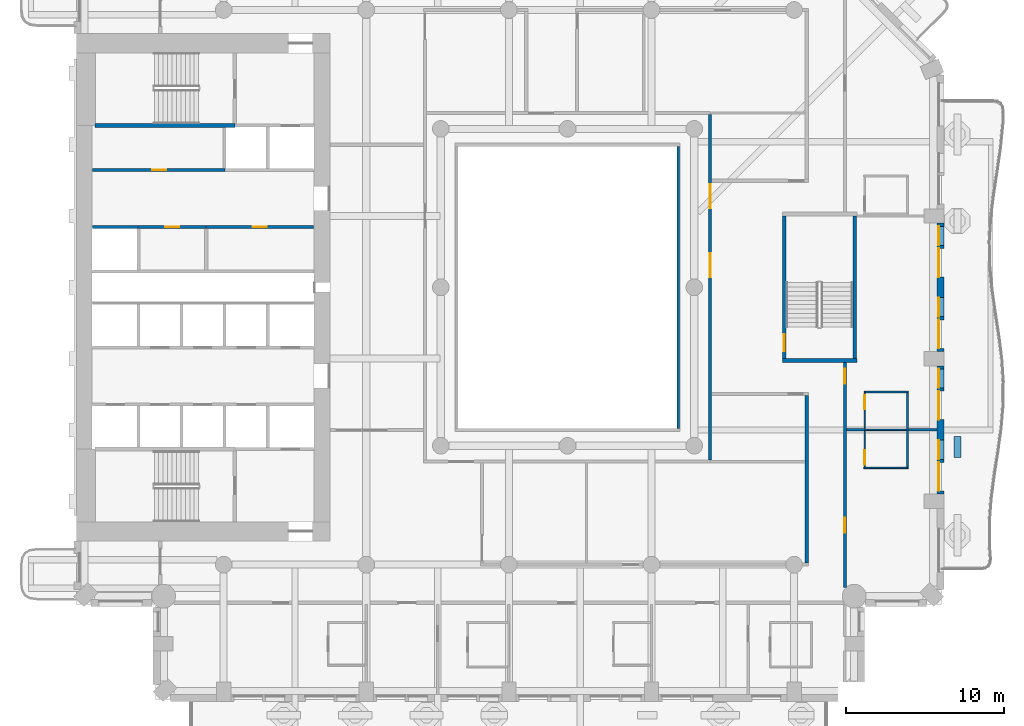
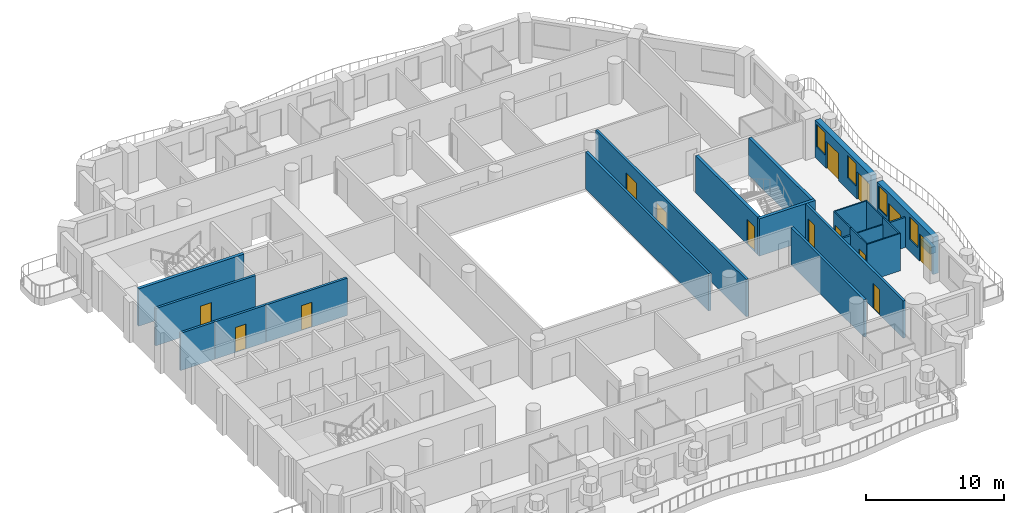
# One storey, part 6 of 19: 24 walls, 14 doors, 4 windows, 18 openings.
"""IFC4 building model written with IfcOpenShell, lengths in metres."""

from ifc_helpers import new_model, si_unit, direction, frame, frame_2d, origin, place, context, subcontext, project, spatial, rectangle, extrude, material, layer, layer_set, type_object, element, fill, save


model = new_model("IFC4")

# Units and contexts
model_context = context("Model", 3, precision=1e-05, world=origin(), true_north=direction((0.0, 1.0)))
body_context = subcontext(model_context, "Body", "Model", "MODEL_VIEW")
ifc_project = project(units=[si_unit("LENGTHUNIT", "METRE"), si_unit("AREAUNIT", "SQUARE_METRE"), si_unit("VOLUMEUNIT", "CUBIC_METRE"), si_unit("PLANEANGLEUNIT", "RADIAN"), si_unit("MASSUNIT", "GRAM", prefix="KILO")], contexts=[model_context])

# Site, building, storey
site_placement = place(None, origin())
site = spatial("IfcSite", under=ifc_project, at=site_placement, CompositionType="ELEMENT")
building_placement = place(site_placement, origin())
building = spatial("IfcBuilding", under=site, at=building_placement, Name="Cypress Arch Tower", CompositionType="ELEMENT")
storey_placement = place(building_placement, frame((0.0, 0.0, 105.89990234375)))
storey = spatial("IfcBuildingStorey", under=building, at=storey_placement, Name="L21", CompositionType="ELEMENT", Elevation=105.89990234375)

# Wall
ifc_material_1 = material(Name="Concrete C40/50, waterproofed", Category="concrete")
ifc_layer_1 = layer(ifc_material_1, 0.449951171875)
ifc_layer_set_1 = layer_set([ifc_layer_1], Name="Balcony planter wall PW450")
wall_type_1 = type_object("IfcWallType", Name="Balcony planter wall PW450", PredefinedType="SOLIDWALL", material=ifc_layer_set_1)
wall_1_placement = place(storey_placement, frame((25.60009765625, -10.75, 0.0), z_axis=(0.0, 0.0, 1.0), x_axis=(0.0, 1.0, 0.0)))
element("IfcWall", 1, at=wall_1_placement, inside=storey, type_object=wall_type_1, Name="Balcony planter wall L21-A06.2", PredefinedType="SOLIDWALL", context=body_context, shape_type="SweptSolid", body=[
    extrude(rectangle(XDim=1.32861328125, YDim=0.449951171875, at=frame_2d((0.664306640625, 0.0))), origin(), (0.0, 0.0, 1.0), 0.60009765625),
])

# Wall, openings, doors, windows
ifc_material_2 = material(Name="Brick (red buff blend)", Category="masonry")
ifc_layer_2 = layer(ifc_material_2, 0.449951171875)
ifc_layer_set_2 = layer_set([ifc_layer_2], Name="Brick pier and spandrel wall BW450")
wall_type_2 = type_object("IfcWallType", Name="Brick pier and spandrel wall BW450", PredefinedType="SOLIDWALL", material=ifc_layer_set_2)
wall_2_placement = place(storey_placement, frame((24.52490234375, -13.050048828125, 0.0), z_axis=(0.0, 0.0, 1.0), x_axis=(0.0, 1.0, 0.0)))
wall_2 = element("IfcWall", 2, at=wall_2_placement, inside=storey, type_object=wall_type_2, Name="Brick wall L21 A06.1", PredefinedType="SOLIDWALL", context=body_context, shape_type="SweptSolid", body=[
    extrude(rectangle(XDim=8.10009765625, YDim=0.449951171875, at=frame_2d((4.050048828125, 0.0))), origin(), (0.0, 0.0, 1.0), 3.300048828125),
])
opening_1_placement = place(wall_2_placement, frame((0.199951171875, 0.0, 0.0)))
opening_1 = element("IfcOpeningElement", 3, at=opening_1_placement, cuts=wall_2, Name="Opening D-L21-A06.1.1", PredefinedType="OPENING", context=body_context, shape_type="SweptSolid", body=[
    extrude(rectangle(XDim=1.800048828125, YDim=2.39990234375, at=frame_2d((0.89990234375, 1.199951171875))), frame((0.0, 0.23486328125, 0.0), z_axis=(0.0, -1.0, 0.0), x_axis=(1.0, 0.0, 0.0)), (0.0, 0.0, 1.0), 0.469970703125),
])
opening_2_placement = place(wall_2_placement, frame((2.199951171875, 0.0, 1.050048828125)))
opening_2 = element("IfcOpeningElement", 4, at=opening_2_placement, cuts=wall_2, Name="Opening W120HD", PredefinedType="OPENING", context=body_context, shape_type="SweptSolid", body=[
    extrude(rectangle(XDim=1.199951171875, YDim=2.0, at=frame_2d((0.60009765625, 1.0))), frame((0.0, 0.23486328125, 0.0), z_axis=(0.0, -1.0, 0.0), x_axis=(1.0, 0.0, 0.0)), (0.0, 0.0, 1.0), 0.469970703125),
])
opening_3_placement = place(wall_2_placement, frame((4.699951171875, 0.0, 0.0)))
opening_3 = element("IfcOpeningElement", 5, at=opening_3_placement, cuts=wall_2, Name="Opening D-L21-A06.1.2", PredefinedType="OPENING", context=body_context, shape_type="SweptSolid", body=[
    extrude(rectangle(XDim=1.800048828125, YDim=2.39990234375, at=frame_2d((0.89990234375, 1.199951171875))), frame((0.0, 0.23486328125, 0.0), z_axis=(0.0, -1.0, 0.0), x_axis=(1.0, 0.0, 0.0)), (0.0, 0.0, 1.0), 0.469970703125),
])
opening_4_placement = place(wall_2_placement, frame((6.699951171875, 0.0, 1.050048828125)))
opening_4 = element("IfcOpeningElement", 6, at=opening_4_placement, cuts=wall_2, Name="Opening W120HD", PredefinedType="OPENING", context=body_context, shape_type="SweptSolid", body=[
    extrude(rectangle(XDim=1.199951171875, YDim=2.0, at=frame_2d((0.60009765625, 1.0))), frame((0.0, 0.23486328125, 0.0), z_axis=(0.0, -1.0, 0.0), x_axis=(1.0, 0.0, 0.0)), (0.0, 0.0, 1.0), 0.469970703125),
])
ifc_material_3 = material(Name="Anodised aluminium, bronze finish, laminated low-emissivity double glazing, large-missile impact rated", Category="aluminium")
door_type_1 = type_object("IfcDoorType", Name="Balcony sliding door 1800x2400", OperationType="SLIDING_TO_LEFT", PredefinedType="DOOR", material=ifc_material_3)
door_1_placement = place(opening_1_placement, origin())
door_1 = element("IfcDoor", 7, at=door_1_placement, inside=storey, type_object=door_type_1, Name="Balcony door L21 A06.1.1", OperationType="SLIDING_TO_LEFT", OverallHeight=2.39990234375, OverallWidth=1.800048828125, PredefinedType="DOOR", context=body_context, shape_type="SweptSolid", body=[
    extrude(rectangle(XDim=1.800048828125, YDim=2.39990234375, at=frame_2d((0.89990234375, 1.199951171875))), frame((0.0, 0.1298828125, 0.0), z_axis=(0.0, -1.0, 0.0), x_axis=(1.0, 0.0, 0.0)), (0.0, 0.0, 1.0), 0.050048828125),
])
fill(opening_1, door_1)
door_2_placement = place(opening_3_placement, origin())
door_2 = element("IfcDoor", 8, at=door_2_placement, inside=storey, type_object=door_type_1, Name="Balcony door L21 A06.1.2", OperationType="SLIDING_TO_LEFT", OverallHeight=2.39990234375, OverallWidth=1.800048828125, PredefinedType="DOOR", context=body_context, shape_type="SweptSolid", body=[
    extrude(rectangle(XDim=1.800048828125, YDim=2.39990234375, at=frame_2d((0.89990234375, 1.199951171875))), frame((0.0, 0.1298828125, 0.0), z_axis=(0.0, -1.0, 0.0), x_axis=(1.0, 0.0, 0.0)), (0.0, 0.0, 1.0), 0.050048828125),
])
fill(opening_3, door_2)
ifc_material_4 = material(Name="Anodised aluminium, bronze finish, laminated low-emissivity double glazing, large-missile impact rated", Category="aluminium")
window_type = type_object("IfcWindowType", Name="Window Hotel 1200x2000 debris-rated", PartitioningType="SINGLE_PANEL", PredefinedType="WINDOW", material=ifc_material_4)
window_1_placement = place(opening_2_placement, origin())
window_1 = element("IfcWindow", 9, at=window_1_placement, inside=storey, type_object=window_type, Name="Window L21 A06.1.1", OverallHeight=2.0, OverallWidth=1.199951171875, PartitioningType="SINGLE_PANEL", PredefinedType="WINDOW", context=body_context, shape_type="SweptSolid", body=[
    extrude(rectangle(XDim=1.199951171875, YDim=2.0, at=frame_2d((0.60009765625, 1.0))), frame((0.0, 0.135009765625, 0.0), z_axis=(0.0, -1.0, 0.0), x_axis=(1.0, 0.0, 0.0)), (0.0, 0.0, 1.0), 0.06005859375),
])
fill(opening_2, window_1)
window_2_placement = place(opening_4_placement, origin())
window_2 = element("IfcWindow", 10, at=window_2_placement, inside=storey, type_object=window_type, Name="Window L21 A06.1.2", OverallHeight=2.0, OverallWidth=1.199951171875, PartitioningType="SINGLE_PANEL", PredefinedType="WINDOW", context=body_context, shape_type="SweptSolid", body=[
    extrude(rectangle(XDim=1.199951171875, YDim=2.0, at=frame_2d((0.60009765625, 1.0))), frame((0.0, 0.135009765625, 0.0), z_axis=(0.0, -1.0, 0.0), x_axis=(1.0, 0.0, 0.0)), (0.0, 0.0, 1.0), 0.06005859375),
])
fill(opening_4, window_2)

wall_3_placement = place(storey_placement, frame((24.52490234375, -4.050048828125, 0.0), z_axis=(0.0, 0.0, 1.0), x_axis=(0.0, 1.0, 0.0)))
wall_3 = element("IfcWall", 11, at=wall_3_placement, inside=storey, type_object=wall_type_2, Name="Brick wall L21 A06.2", PredefinedType="SOLIDWALL", context=body_context, shape_type="SweptSolid", body=[
    extrude(rectangle(XDim=8.10009765625, YDim=0.449951171875, at=frame_2d((4.050048828125, 0.0))), origin(), (0.0, 0.0, 1.0), 3.300048828125),
])
opening_5_placement = place(wall_3_placement, frame((0.199951171875, 0.0, 0.0)))
opening_5 = element("IfcOpeningElement", 12, at=opening_5_placement, cuts=wall_3, Name="Opening D-L21-A06.2.1", PredefinedType="OPENING", context=body_context, shape_type="SweptSolid", body=[
    extrude(rectangle(XDim=1.800048828125, YDim=2.39990234375, at=frame_2d((0.89990234375, 1.199951171875))), frame((0.0, 0.23486328125, 0.0), z_axis=(0.0, -1.0, 0.0), x_axis=(1.0, 0.0, 0.0)), (0.0, 0.0, 1.0), 0.469970703125),
])
opening_6_placement = place(wall_3_placement, frame((2.199951171875, 0.0, 1.050048828125)))
opening_6 = element("IfcOpeningElement", 13, at=opening_6_placement, cuts=wall_3, Name="Opening W120HD", PredefinedType="OPENING", context=body_context, shape_type="SweptSolid", body=[
    extrude(rectangle(XDim=1.199951171875, YDim=2.0, at=frame_2d((0.60009765625, 1.0))), frame((0.0, 0.23486328125, 0.0), z_axis=(0.0, -1.0, 0.0), x_axis=(1.0, 0.0, 0.0)), (0.0, 0.0, 1.0), 0.469970703125),
])
opening_7_placement = place(wall_3_placement, frame((4.699951171875, 0.0, 0.0)))
opening_7 = element("IfcOpeningElement", 14, at=opening_7_placement, cuts=wall_3, Name="Opening D-L21-A06.2.2", PredefinedType="OPENING", context=body_context, shape_type="SweptSolid", body=[
    extrude(rectangle(XDim=1.800048828125, YDim=2.39990234375, at=frame_2d((0.89990234375, 1.199951171875))), frame((0.0, 0.23486328125, 0.0), z_axis=(0.0, -1.0, 0.0), x_axis=(1.0, 0.0, 0.0)), (0.0, 0.0, 1.0), 0.469970703125),
])
opening_8_placement = place(wall_3_placement, frame((6.699951171875, 0.0, 1.050048828125)))
opening_8 = element("IfcOpeningElement", 15, at=opening_8_placement, cuts=wall_3, Name="Opening W120HD", PredefinedType="OPENING", context=body_context, shape_type="SweptSolid", body=[
    extrude(rectangle(XDim=1.199951171875, YDim=2.0, at=frame_2d((0.60009765625, 1.0))), frame((0.0, 0.23486328125, 0.0), z_axis=(0.0, -1.0, 0.0), x_axis=(1.0, 0.0, 0.0)), (0.0, 0.0, 1.0), 0.469970703125),
])
door_3_placement = place(opening_5_placement, origin())
door_3 = element("IfcDoor", 16, at=door_3_placement, inside=storey, type_object=door_type_1, Name="Balcony door L21 A06.2.1", OperationType="SLIDING_TO_LEFT", OverallHeight=2.39990234375, OverallWidth=1.800048828125, PredefinedType="DOOR", context=body_context, shape_type="SweptSolid", body=[
    extrude(rectangle(XDim=1.800048828125, YDim=2.39990234375, at=frame_2d((0.89990234375, 1.199951171875))), frame((0.0, 0.1298828125, 0.0), z_axis=(0.0, -1.0, 0.0), x_axis=(1.0, 0.0, 0.0)), (0.0, 0.0, 1.0), 0.050048828125),
])
fill(opening_5, door_3)
door_4_placement = place(opening_7_placement, origin())
door_4 = element("IfcDoor", 17, at=door_4_placement, inside=storey, type_object=door_type_1, Name="Balcony door L21 A06.2.2", OperationType="SLIDING_TO_LEFT", OverallHeight=2.39990234375, OverallWidth=1.800048828125, PredefinedType="DOOR", context=body_context, shape_type="SweptSolid", body=[
    extrude(rectangle(XDim=1.800048828125, YDim=2.39990234375, at=frame_2d((0.89990234375, 1.199951171875))), frame((0.0, 0.1298828125, 0.0), z_axis=(0.0, -1.0, 0.0), x_axis=(1.0, 0.0, 0.0)), (0.0, 0.0, 1.0), 0.050048828125),
])
fill(opening_7, door_4)
window_3_placement = place(opening_6_placement, origin())
window_3 = element("IfcWindow", 18, at=window_3_placement, inside=storey, type_object=window_type, Name="Window L21 A06.2.1", OverallHeight=2.0, OverallWidth=1.199951171875, PartitioningType="SINGLE_PANEL", PredefinedType="WINDOW", context=body_context, shape_type="SweptSolid", body=[
    extrude(rectangle(XDim=1.199951171875, YDim=2.0, at=frame_2d((0.60009765625, 1.0))), frame((0.0, 0.135009765625, 0.0), z_axis=(0.0, -1.0, 0.0), x_axis=(1.0, 0.0, 0.0)), (0.0, 0.0, 1.0), 0.06005859375),
])
fill(opening_6, window_3)
window_4_placement = place(opening_8_placement, origin())
window_4 = element("IfcWindow", 19, at=window_4_placement, inside=storey, type_object=window_type, Name="Window L21 A06.2.2", OverallHeight=2.0, OverallWidth=1.199951171875, PartitioningType="SINGLE_PANEL", PredefinedType="WINDOW", context=body_context, shape_type="SweptSolid", body=[
    extrude(rectangle(XDim=1.199951171875, YDim=2.0, at=frame_2d((0.60009765625, 1.0))), frame((0.0, 0.135009765625, 0.0), z_axis=(0.0, -1.0, 0.0), x_axis=(1.0, 0.0, 0.0)), (0.0, 0.0, 1.0), 0.06005859375),
])
fill(opening_8, window_4)

# Wall, opening, door
ifc_material_5 = material(Name="Concrete blockwork, plastered, rated", Category="masonry")
ifc_layer_3 = layer(ifc_material_5, 0.199951171875)
ifc_layer_set_3 = layer_set([ifc_layer_3], Name="Corridor wall FW200")
wall_type_3 = type_object("IfcWallType", Name="Corridor wall FW200", PredefinedType="PARTITIONING", material=ifc_layer_set_3)
wall_4_placement = place(storey_placement, frame((-28.969970703125, 7.39990234375, 0.0), z_axis=(0.0, 0.0, 1.0), x_axis=(1.0, 0.0, 0.0)))
wall_4 = element("IfcWall", 20, at=wall_4_placement, inside=storey, type_object=wall_type_3, Name="Corridor wall", PredefinedType="PARTITIONING", context=body_context, shape_type="SweptSolid", body=[
    extrude(rectangle(XDim=8.349853515625, YDim=0.199951171875, at=frame_2d((4.1748046875, 0.0))), origin(), (0.0, 0.0, 1.0), 3.300048828125),
])
opening_9_placement = place(wall_4_placement, frame((3.75, 0.0, 0.0)))
opening_9 = element("IfcOpeningElement", 21, at=opening_9_placement, cuts=wall_4, Name="Opening D05", PredefinedType="OPENING", context=body_context, shape_type="SweptSolid", body=[
    extrude(rectangle(XDim=0.89990234375, YDim=2.199951171875, at=frame_2d((0.449951171875, 1.10009765625))), frame((0.0, 0.10986328125, 0.0), z_axis=(0.0, -1.0, 0.0), x_axis=(1.0, 0.0, 0.0)), (0.0, 0.0, 1.0), 0.219970703125),
])
ifc_material_6 = material(Name="Timber flush door", Category="wood")
door_type_2 = type_object("IfcDoorType", Name="Service door D05 900x2200", OperationType="SINGLE_SWING_LEFT", PredefinedType="DOOR", material=ifc_material_6)
door_5_placement = place(opening_9_placement, origin())
door_5 = element("IfcDoor", 22, at=door_5_placement, inside=storey, type_object=door_type_2, Name="Service door", OperationType="SINGLE_SWING_RIGHT", OverallHeight=2.199951171875, OverallWidth=0.89990234375, PredefinedType="DOOR", context=body_context, shape_type="SweptSolid", body=[
    extrude(rectangle(XDim=0.89990234375, YDim=2.199951171875, at=frame_2d((0.449951171875, 1.10009765625))), frame((0.0, 0.02490234375, 0.0), z_axis=(0.0, -1.0, 0.0), x_axis=(1.0, 0.0, 0.0)), (0.0, 0.0, 1.0), 0.050048828125),
])
fill(opening_9, door_5)

wall_5_placement = place(storey_placement, frame((-21.820068359375, 3.800048828125, 0.0), z_axis=(0.0, 0.0, 1.0), x_axis=(1.0, 0.0, 0.0)))
wall_5 = element("IfcWall", 23, at=wall_5_placement, inside=storey, type_object=wall_type_3, Name="Corridor wall", PredefinedType="PARTITIONING", context=body_context, shape_type="SweptSolid", body=[
    extrude(rectangle(XDim=6.7900390625, YDim=0.199951171875, at=frame_2d((3.39501953125, 0.0))), origin(), (0.0, 0.0, 1.0), 3.300048828125),
])
opening_10_placement = place(wall_5_placement, frame((2.949951171875, 0.0, 0.0)))
opening_10 = element("IfcOpeningElement", 24, at=opening_10_placement, cuts=wall_5, Name="Opening D05", PredefinedType="OPENING", context=body_context, shape_type="SweptSolid", body=[
    extrude(rectangle(XDim=0.89990234375, YDim=2.199951171875, at=frame_2d((0.449951171875, 1.10009765625))), frame((0.0, 0.10986328125, 0.0), z_axis=(0.0, -1.0, 0.0), x_axis=(1.0, 0.0, 0.0)), (0.0, 0.0, 1.0), 0.219970703125),
])
door_6_placement = place(opening_10_placement, origin())
door_6 = element("IfcDoor", 25, at=door_6_placement, inside=storey, type_object=door_type_2, Name="Service door", OperationType="SINGLE_SWING_RIGHT", OverallHeight=2.199951171875, OverallWidth=0.89990234375, PredefinedType="DOOR", context=body_context, shape_type="SweptSolid", body=[
    extrude(rectangle(XDim=0.89990234375, YDim=2.199951171875, at=frame_2d((0.449951171875, 1.10009765625))), frame((0.0, 0.02490234375, 0.0), z_axis=(0.0, -1.0, 0.0), x_axis=(1.0, 0.0, 0.0)), (0.0, 0.0, 1.0), 0.050048828125),
])
fill(opening_10, door_6)

# Wall
wall_6_placement = place(storey_placement, frame((8.0, -8.89990234375, 0.0), z_axis=(0.0, 0.0, 1.0), x_axis=(0.0, 1.0, 0.0)))
element("IfcWall", 26, at=wall_6_placement, inside=storey, type_object=wall_type_3, Name="Corridor wall", PredefinedType="PARTITIONING", context=body_context, shape_type="SweptSolid", body=[
    extrude(rectangle(XDim=17.7998046875, YDim=0.199951171875, at=frame_2d((8.89990234375, 0.0))), origin(), (0.0, 0.0, 1.0), 3.300048828125),
])

# Wall, openings, doors
wall_7_placement = place(storey_placement, frame((10.0, -10.89990234375, 0.0), z_axis=(0.0, 0.0, 1.0), x_axis=(0.0, 1.0, 0.0)))
wall_7 = element("IfcWall", 27, at=wall_7_placement, inside=storey, type_object=wall_type_3, Name="Corridor wall", PredefinedType="PARTITIONING", context=body_context, shape_type="SweptSolid", body=[
    extrude(rectangle(XDim=21.7998046875, YDim=0.199951171875, at=frame_2d((10.89990234375, 0.0))), origin(), (0.0, 0.0, 1.0), 3.300048828125),
])
opening_11_placement = place(wall_7_placement, frame((15.89990234375, 0.0, 0.0)))
opening_11 = element("IfcOpeningElement", 28, at=opening_11_placement, cuts=wall_7, Name="Opening D04", PredefinedType="OPENING", context=body_context, shape_type="SweptSolid", body=[
    extrude(rectangle(XDim=1.5, YDim=2.199951171875, at=frame_2d((0.75, 1.10009765625))), frame((0.0, 0.10986328125, 0.0), z_axis=(0.0, -1.0, 0.0), x_axis=(1.0, 0.0, 0.0)), (0.0, 0.0, 1.0), 0.219970703125),
])
opening_12_placement = place(wall_7_placement, frame((11.550048828125, 0.0, 0.0)))
opening_12 = element("IfcOpeningElement", 29, at=opening_12_placement, cuts=wall_7, Name="Opening D04", PredefinedType="OPENING", context=body_context, shape_type="SweptSolid", body=[
    extrude(rectangle(XDim=1.5, YDim=2.199951171875, at=frame_2d((0.75, 1.10009765625))), frame((0.0, 0.10986328125, 0.0), z_axis=(0.0, -1.0, 0.0), x_axis=(1.0, 0.0, 0.0)), (0.0, 0.0, 1.0), 0.219970703125),
])
ifc_material_7 = material(Name="Timber double door", Category="wood")
door_type_3 = type_object("IfcDoorType", Name="Double door D04 1500x2200", OperationType="DOUBLE_DOOR_SINGLE_SWING", PredefinedType="DOOR", material=ifc_material_7)
door_7_placement = place(opening_11_placement, origin())
door_7 = element("IfcDoor", 30, at=door_7_placement, inside=storey, type_object=door_type_3, Name="Double door", OperationType="DOUBLE_DOOR_SINGLE_SWING", OverallHeight=2.199951171875, OverallWidth=1.5, PredefinedType="DOOR", context=body_context, shape_type="SweptSolid", body=[
    extrude(rectangle(XDim=1.5, YDim=2.199951171875, at=frame_2d((0.75, 1.10009765625))), frame((0.0, 0.02490234375, 0.0), z_axis=(0.0, -1.0, 0.0), x_axis=(1.0, 0.0, 0.0)), (0.0, 0.0, 1.0), 0.050048828125),
])
fill(opening_11, door_7)
door_8_placement = place(opening_12_placement, origin())
door_8 = element("IfcDoor", 31, at=door_8_placement, inside=storey, type_object=door_type_3, Name="Double door", OperationType="DOUBLE_DOOR_SINGLE_SWING", OverallHeight=2.199951171875, OverallWidth=1.5, PredefinedType="DOOR", context=body_context, shape_type="SweptSolid", body=[
    extrude(rectangle(XDim=1.5, YDim=2.199951171875, at=frame_2d((0.75, 1.10009765625))), frame((0.0, 0.02490234375, 0.0), z_axis=(0.0, -1.0, 0.0), x_axis=(1.0, 0.0, 0.0)), (0.0, 0.0, 1.0), 0.050048828125),
])
fill(opening_12, door_8)

# Wall
wall_8_placement = place(storey_placement, frame((16.10009765625, -17.39990234375, 0.0), z_axis=(0.0, 0.0, 1.0), x_axis=(0.0, 1.0, 0.0)))
element("IfcWall", 32, at=wall_8_placement, inside=storey, type_object=wall_type_3, Name="Corridor wall", PredefinedType="PARTITIONING", context=body_context, shape_type="SweptSolid", body=[
    extrude(rectangle(XDim=10.574951171875, YDim=0.199951171875, at=frame_2d((5.28759765625, 0.0))), origin(), (0.0, 0.0, 1.0), 3.300048828125),
])

# Wall, openings, doors
wall_9_placement = place(storey_placement, frame((18.5, -18.937744140625, 0.0), z_axis=(0.0, 0.0, 1.0), x_axis=(0.0, 1.0, 0.0)))
wall_9 = element("IfcWall", 33, at=wall_9_placement, inside=storey, type_object=wall_type_3, Name="Corridor wall", PredefinedType="PARTITIONING", context=body_context, shape_type="SweptSolid", body=[
    extrude(rectangle(XDim=14.187744140625, YDim=0.199951171875, at=frame_2d((7.09375, 0.0))), origin(), (0.0, 0.0, 1.0), 3.300048828125),
])
opening_13_placement = place(wall_9_placement, frame((3.449951171875, 0.0, 0.0)))
opening_13 = element("IfcOpeningElement", 34, at=opening_13_placement, cuts=wall_9, Name="Opening D02", PredefinedType="OPENING", context=body_context, shape_type="SweptSolid", body=[
    extrude(rectangle(XDim=0.949951171875, YDim=2.199951171875, at=frame_2d((0.47509765625, 1.10009765625))), frame((0.0, 0.10986328125, 0.0), z_axis=(0.0, -1.0, 0.0), x_axis=(1.0, 0.0, 0.0)), (0.0, 0.0, 1.0), 0.219970703125),
])
opening_14_placement = place(wall_9_placement, frame((12.85009765625, 0.0, 0.0)))
opening_14 = element("IfcOpeningElement", 35, at=opening_14_placement, cuts=wall_9, Name="Opening D02", PredefinedType="OPENING", context=body_context, shape_type="SweptSolid", body=[
    extrude(rectangle(XDim=0.949951171875, YDim=2.199951171875, at=frame_2d((0.47509765625, 1.10009765625))), frame((0.0, 0.10986328125, 0.0), z_axis=(0.0, -1.0, 0.0), x_axis=(1.0, 0.0, 0.0)), (0.0, 0.0, 1.0), 0.219970703125),
])
ifc_material_8 = material(Name="Timber flush door, fire resisting", Category="wood")
door_type_4 = type_object("IfcDoorType", Name="Room door D02 950x2200", OperationType="SINGLE_SWING_LEFT", PredefinedType="DOOR", material=ifc_material_8)
door_9_placement = place(opening_13_placement, origin())
door_9 = element("IfcDoor", 36, at=door_9_placement, inside=storey, type_object=door_type_4, Name="Room door", OperationType="SINGLE_SWING_RIGHT", OverallHeight=2.199951171875, OverallWidth=0.949951171875, PredefinedType="DOOR", context=body_context, shape_type="SweptSolid", body=[
    extrude(rectangle(XDim=0.949951171875, YDim=2.199951171875, at=frame_2d((0.47509765625, 1.10009765625))), frame((0.0, 0.02490234375, 0.0), z_axis=(0.0, -1.0, 0.0), x_axis=(1.0, 0.0, 0.0)), (0.0, 0.0, 1.0), 0.050048828125),
])
fill(opening_13, door_9)
door_10_placement = place(opening_14_placement, origin())
door_10 = element("IfcDoor", 37, at=door_10_placement, inside=storey, type_object=door_type_4, Name="Room door", OperationType="SINGLE_SWING_LEFT", OverallHeight=2.199951171875, OverallWidth=0.949951171875, PredefinedType="DOOR", context=body_context, shape_type="SweptSolid", body=[
    extrude(rectangle(XDim=0.949951171875, YDim=2.199951171875, at=frame_2d((0.47509765625, 1.10009765625))), frame((0.0, 0.02490234375, 0.0), z_axis=(0.0, -1.0, 0.0), x_axis=(1.0, 0.0, 0.0)), (0.0, 0.0, 1.0), 0.050048828125),
])
fill(opening_14, door_10)

# Walls
ifc_material_9 = material(Name="Blockwork, plastered both sides", Category="masonry")
ifc_layer_4 = layer(ifc_material_9, 0.14990234375)
ifc_layer_set_4 = layer_set([ifc_layer_4], Name="Partition PW150")
wall_type_4 = type_object("IfcWallType", Name="Partition PW150", PredefinedType="PARTITIONING", material=ifc_layer_set_4)
wall_10_placement = place(storey_placement, frame((18.60009765625, -9.0, 0.0), z_axis=(0.0, 0.0, 1.0), x_axis=(1.0, 0.0, 0.0)))
element("IfcWall", 38, at=wall_10_placement, inside=storey, type_object=wall_type_4, Name="Partition", PredefinedType="PARTITIONING", context=body_context, shape_type="SweptSolid", body=[
    extrude(rectangle(XDim=1.1298828125, YDim=0.14990234375, at=frame_2d((0.56494140625, 0.0))), origin(), (0.0, 0.0, 1.0), 2.650146484375),
])
wall_11_placement = place(storey_placement, frame((22.469970703125, -9.0, 0.0), z_axis=(0.0, 0.0, 1.0), x_axis=(1.0, 0.0, 0.0)))
element("IfcWall", 39, at=wall_11_placement, inside=storey, type_object=wall_type_4, Name="Partition", PredefinedType="PARTITIONING", context=body_context, shape_type="SweptSolid", body=[
    extrude(rectangle(XDim=1.830078125, YDim=0.14990234375, at=frame_2d((0.9150390625, 0.0))), origin(), (0.0, 0.0, 1.0), 2.650146484375),
])

# Wall, opening, door
ifc_material_10 = material(Name="Reinforced blockwork, plastered, rated", Category="masonry")
ifc_layer_5 = layer(ifc_material_10, 0.199951171875)
ifc_layer_set_5 = layer_set([ifc_layer_5], Name="Plant and riser wall PL200")
wall_type_5 = type_object("IfcWallType", Name="Plant and riser wall PL200", PredefinedType="PARTITIONING", material=ifc_layer_set_5)
wall_12_placement = place(storey_placement, frame((-26.10009765625, 3.800048828125, 0.0), z_axis=(0.0, 0.0, 1.0), x_axis=(1.0, 0.0, 0.0)))
wall_12 = element("IfcWall", 40, at=wall_12_placement, inside=storey, type_object=wall_type_5, Name="Plant and riser wall", PredefinedType="PARTITIONING", context=body_context, shape_type="SweptSolid", body=[
    extrude(rectangle(XDim=4.280029296875, YDim=0.199951171875, at=frame_2d((2.14013671875, 0.0))), origin(), (0.0, 0.0, 1.0), 3.300048828125),
])
opening_15_placement = place(wall_12_placement, frame((1.699951171875, 0.0, 0.0)))
opening_15 = element("IfcOpeningElement", 41, at=opening_15_placement, cuts=wall_12, Name="Opening D05", PredefinedType="OPENING", context=body_context, shape_type="SweptSolid", body=[
    extrude(rectangle(XDim=0.89990234375, YDim=2.199951171875, at=frame_2d((0.449951171875, 1.10009765625))), frame((0.0, 0.10986328125, 0.0), z_axis=(0.0, -1.0, 0.0), x_axis=(1.0, 0.0, 0.0)), (0.0, 0.0, 1.0), 0.219970703125),
])
door_11_placement = place(opening_15_placement, origin())
door_11 = element("IfcDoor", 42, at=door_11_placement, inside=storey, type_object=door_type_2, Name="Service door", OperationType="SINGLE_SWING_RIGHT", OverallHeight=2.199951171875, OverallWidth=0.89990234375, PredefinedType="DOOR", context=body_context, shape_type="SweptSolid", body=[
    extrude(rectangle(XDim=0.89990234375, YDim=2.199951171875, at=frame_2d((0.449951171875, 1.10009765625))), frame((0.0, 0.02490234375, 0.0), z_axis=(0.0, -1.0, 0.0), x_axis=(1.0, 0.0, 0.0)), (0.0, 0.0, 1.0), 0.050048828125),
])
fill(opening_15, door_11)

# Walls
ifc_material_11 = material(Name="Concrete C50/60", Category="concrete")
ifc_layer_6 = layer(ifc_material_11, 0.199951171875)
ifc_layer_set_6 = layer_set([ifc_layer_6], Name="Shaft wall SH200")
wall_type_6 = type_object("IfcWallType", Name="Shaft wall SH200", PredefinedType="SHEAR", material=ifc_layer_set_6)
wall_13_placement = place(storey_placement, frame((-28.969970703125, 3.800048828125, 0.0), z_axis=(0.0, 0.0, 1.0), x_axis=(1.0, 0.0, 0.0)))
element("IfcWall", 43, at=wall_13_placement, inside=storey, type_object=wall_type_6, Name="Shaft wall", PredefinedType="SHEAR", context=body_context, shape_type="SweptSolid", body=[
    extrude(rectangle(XDim=2.869873046875, YDim=0.199951171875, at=frame_2d((1.43505859375, 0.0))), origin(), (0.0, 0.0, 1.0), 3.300048828125),
])
ifc_material_12 = material(Name="Concrete C50/60", Category="concrete")
ifc_layer_7 = layer(ifc_material_12, 0.25)
ifc_layer_set_7 = layer_set([ifc_layer_7], Name="Stair enclosure wall SW250")
wall_type_7 = type_object("IfcWallType", Name="Stair enclosure wall SW250", PredefinedType="SHEAR", material=ifc_layer_set_7)
wall_14_placement = place(storey_placement, frame((-28.81005859375, 10.199951171875, 0.0), z_axis=(0.0, 0.0, 1.0), x_axis=(1.0, 0.0, 0.0)))
element("IfcWall", 44, at=wall_14_placement, inside=storey, type_object=wall_type_7, Name="Stair enclosure wall", PredefinedType="SHEAR", context=body_context, shape_type="SweptSolid", body=[
    extrude(rectangle(XDim=8.830078125, YDim=0.25, at=frame_2d((4.4150390625, 0.0))), origin(), (0.0, 0.0, 1.0), 3.300048828125),
])

# Wall, opening, door
wall_15_placement = place(storey_placement, frame((14.675048828125, -4.5, 0.0), z_axis=(0.0, 0.0, 1.0), x_axis=(0.0, 1.0, 0.0)))
wall_15 = element("IfcWall", 45, at=wall_15_placement, inside=storey, type_object=wall_type_7, Name="Stair enclosure wall", PredefinedType="SHEAR", context=body_context, shape_type="SweptSolid", body=[
    extrude(rectangle(XDim=9.0, YDim=0.25, at=frame_2d((4.5, 0.0))), origin(), (0.0, 0.0, 1.0), 3.300048828125),
])
opening_16_placement = place(wall_15_placement, frame((0.449951171875, 0.0, 0.0)))
opening_16 = element("IfcOpeningElement", 46, at=opening_16_placement, cuts=wall_15, Name="Opening D06", PredefinedType="OPENING", context=body_context, shape_type="SweptSolid", body=[
    extrude(rectangle(XDim=1.10009765625, YDim=2.199951171875, at=frame_2d((0.550048828125, 1.10009765625))), frame((0.0, 0.135009765625, 0.0), z_axis=(0.0, -1.0, 0.0), x_axis=(1.0, 0.0, 0.0)), (0.0, 0.0, 1.0), 0.27001953125),
])
ifc_material_13 = material(Name="Steel door, fire resisting, panic bar", Category="steel")
door_type_5 = type_object("IfcDoorType", Name="Stair door D06 1100x2200", OperationType="SINGLE_SWING_LEFT", PredefinedType="DOOR", material=ifc_material_13)
door_12_placement = place(opening_16_placement, origin())
door_12 = element("IfcDoor", 47, at=door_12_placement, inside=storey, type_object=door_type_5, Name="Stair door", OperationType="SINGLE_SWING_RIGHT", OverallHeight=2.199951171875, OverallWidth=1.10009765625, PredefinedType="DOOR", context=body_context, shape_type="SweptSolid", body=[
    extrude(rectangle(XDim=1.10009765625, YDim=2.199951171875, at=frame_2d((0.550048828125, 1.10009765625))), frame((0.0, 0.02490234375, 0.0), z_axis=(0.0, -1.0, 0.0), x_axis=(1.0, 0.0, 0.0)), (0.0, 0.0, 1.0), 0.050048828125),
])
fill(opening_16, door_12)

# Walls
wall_16_placement = place(storey_placement, frame((14.550048828125, -4.625, 0.0), z_axis=(0.0, 0.0, 1.0), x_axis=(1.0, 0.0, 0.0)))
element("IfcWall", 48, at=wall_16_placement, inside=storey, type_object=wall_type_7, Name="Stair enclosure wall", PredefinedType="SHEAR", context=body_context, shape_type="SweptSolid", body=[
    extrude(rectangle(XDim=4.699951171875, YDim=0.25, at=frame_2d((2.35009765625, 0.0))), origin(), (0.0, 0.0, 1.0), 3.300048828125),
])
wall_17_placement = place(storey_placement, frame((19.125, -4.5, 0.0), z_axis=(0.0, 0.0, 1.0), x_axis=(0.0, 1.0, 0.0)))
element("IfcWall", 49, at=wall_17_placement, inside=storey, type_object=wall_type_7, Name="Stair enclosure wall", PredefinedType="SHEAR", context=body_context, shape_type="SweptSolid", body=[
    extrude(rectangle(XDim=9.0, YDim=0.25, at=frame_2d((4.5, 0.0))), origin(), (0.0, 0.0, 1.0), 3.300048828125),
])
ifc_material_14 = material(Name="Moisture resistant board on steel studs, tiled", Category="steel")
ifc_layer_8 = layer(ifc_material_14, 0.10009765625)
ifc_layer_set_8 = layer_set([ifc_layer_8], Name="Wet wall PW100")
wall_type_8 = type_object("IfcWallType", Name="Wet wall PW100", PredefinedType="PARTITIONING", material=ifc_layer_set_8)
wall_18_placement = place(storey_placement, frame((19.72998046875, -9.0, 0.0), z_axis=(0.0, 0.0, 1.0), x_axis=(1.0, 0.0, 0.0)))
element("IfcWall", 50, at=wall_18_placement, inside=storey, type_object=wall_type_8, Name="Wet wall", PredefinedType="PARTITIONING", context=body_context, shape_type="SweptSolid", body=[
    extrude(rectangle(XDim=2.739990234375, YDim=0.10009765625, at=frame_2d((1.3701171875, 0.0))), origin(), (0.0, 0.0, 1.0), 2.650146484375),
])

# Wall, opening, door
wall_19_placement = place(storey_placement, frame((19.75, -11.345947265625, 0.0), z_axis=(0.0, 0.0, 1.0), x_axis=(0.0, 1.0, 0.0)))
wall_19 = element("IfcWall", 51, at=wall_19_placement, inside=storey, type_object=wall_type_8, Name="Wet wall", PredefinedType="PARTITIONING", context=body_context, shape_type="SweptSolid", body=[
    extrude(rectangle(XDim=2.345947265625, YDim=0.10009765625, at=frame_2d((1.1728515625, 0.0))), origin(), (0.0, 0.0, 1.0), 3.300048828125),
])
opening_17_placement = place(wall_19_placement, frame((0.14990234375, 0.0, 0.0)))
opening_17 = element("IfcOpeningElement", 52, at=opening_17_placement, cuts=wall_19, Name="Opening D03", PredefinedType="OPENING", context=body_context, shape_type="SweptSolid", body=[
    extrude(rectangle(XDim=0.89990234375, YDim=2.199951171875, at=frame_2d((0.449951171875, 1.10009765625))), frame((0.0, 0.06005859375, 0.0), z_axis=(0.0, -1.0, 0.0), x_axis=(1.0, 0.0, 0.0)), (0.0, 0.0, 1.0), 0.1201171875),
])
ifc_material_15 = material(Name="Timber flush door, moisture resistant", Category="wood")
door_type_6 = type_object("IfcDoorType", Name="Bathroom door D03 900x2200", OperationType="SINGLE_SWING_LEFT", PredefinedType="DOOR", material=ifc_material_15)
door_13_placement = place(opening_17_placement, origin())
door_13 = element("IfcDoor", 53, at=door_13_placement, inside=storey, type_object=door_type_6, Name="Bathroom door", OperationType="SINGLE_SWING_RIGHT", OverallHeight=2.199951171875, OverallWidth=0.89990234375, PredefinedType="DOOR", context=body_context, shape_type="SweptSolid", body=[
    extrude(rectangle(XDim=0.89990234375, YDim=2.199951171875, at=frame_2d((0.449951171875, 1.10009765625))), frame((0.0, 0.02490234375, 0.0), z_axis=(0.0, -1.0, 0.0), x_axis=(1.0, 0.0, 0.0)), (0.0, 0.0, 1.0), 0.050048828125),
])
fill(opening_17, door_13)

# Wall
wall_20_placement = place(storey_placement, frame((19.699951171875, -11.39599609375, 0.0), z_axis=(0.0, 0.0, 1.0), x_axis=(1.0, 0.0, 0.0)))
element("IfcWall", 54, at=wall_20_placement, inside=storey, type_object=wall_type_8, Name="Wet wall", PredefinedType="PARTITIONING", context=body_context, shape_type="SweptSolid", body=[
    extrude(rectangle(XDim=2.800048828125, YDim=0.10009765625, at=frame_2d((1.39990234375, 0.0))), origin(), (0.0, 0.0, 1.0), 3.300048828125),
])

# Wall, opening, door
wall_21_placement = place(storey_placement, frame((19.75, -9.0, 0.0), z_axis=(0.0, 0.0, 1.0), x_axis=(0.000399241409, 0.999999920303, 0.0)))
wall_21 = element("IfcWall", 55, at=wall_21_placement, inside=storey, type_object=wall_type_8, Name="Wet wall", PredefinedType="PARTITIONING", context=body_context, shape_type="SweptSolid", body=[
    extrude(rectangle(XDim=2.446044921875, YDim=0.10009765625, at=frame_2d((1.22314453125, 0.0))), origin(), (0.0, 0.0, 1.0), 3.300048828125),
])
opening_18_placement = place(wall_21_placement, frame((1.300048828125, 0.0, 0.0)))
opening_18 = element("IfcOpeningElement", 56, at=opening_18_placement, cuts=wall_21, Name="Opening D03", PredefinedType="OPENING", context=body_context, shape_type="SweptSolid", body=[
    extrude(rectangle(XDim=0.89990234375, YDim=2.199951171875, at=frame_2d((0.449951171875, 1.10009765625))), frame((0.0, 0.06005859375, 0.0), z_axis=(0.0, -1.0, 0.0), x_axis=(1.0, 0.0, 0.0)), (0.0, 0.0, 1.0), 0.1201171875),
])
door_14_placement = place(opening_18_placement, origin())
door_14 = element("IfcDoor", 57, at=door_14_placement, inside=storey, type_object=door_type_6, Name="Bathroom door", OperationType="SINGLE_SWING_LEFT", OverallHeight=2.199951171875, OverallWidth=0.89990234375, PredefinedType="DOOR", context=body_context, shape_type="SweptSolid", body=[
    extrude(rectangle(XDim=0.89990234375, YDim=2.199951171875, at=frame_2d((0.449951171875, 1.10009765625))), frame((0.0, 0.02490234375, 0.0), z_axis=(0.0, -1.0, 0.0), x_axis=(1.0, 0.0, 0.0)), (0.0, 0.0, 1.0), 0.050048828125),
])
fill(opening_18, door_14)

# Walls
wall_22_placement = place(storey_placement, frame((19.801025390625, -6.60400390625, 0.0), z_axis=(0.0, 0.0, 1.0), x_axis=(0.999999934588, -0.000361696332, 0.0)))
element("IfcWall", 58, at=wall_22_placement, inside=storey, type_object=wall_type_8, Name="Wet wall", PredefinedType="PARTITIONING", context=body_context, shape_type="SweptSolid", body=[
    extrude(rectangle(XDim=2.699951171875, YDim=0.10009765625, at=frame_2d((1.35009765625, 0.0))), origin(), (0.0, 0.0, 1.0), 3.300048828125),
])
wall_23_placement = place(storey_placement, frame((22.449951171875, -11.345947265625, 0.0), z_axis=(0.0, 0.0, 1.0), x_axis=(0.0, 1.0, 0.0)))
element("IfcWall", 59, at=wall_23_placement, inside=storey, type_object=wall_type_8, Name="Wet wall", PredefinedType="PARTITIONING", context=body_context, shape_type="SweptSolid", body=[
    extrude(rectangle(XDim=2.345947265625, YDim=0.10009765625, at=frame_2d((1.1728515625, 0.0))), origin(), (0.0, 0.0, 1.0), 3.300048828125),
])
wall_24_placement = place(storey_placement, frame((22.449951171875, -9.0, 0.0), z_axis=(0.0, 0.0, 1.0), x_axis=(0.00041644973, 0.999999913285, 0.0)))
element("IfcWall", 60, at=wall_24_placement, inside=storey, type_object=wall_type_8, Name="Wet wall", PredefinedType="PARTITIONING", context=body_context, shape_type="SweptSolid", body=[
    extrude(rectangle(XDim=2.344970703125, YDim=0.10009765625, at=frame_2d((1.17236328125, 0.0))), origin(), (0.0, 0.0, 1.0), 3.300048828125),
])

save(model, "model.ifc")
